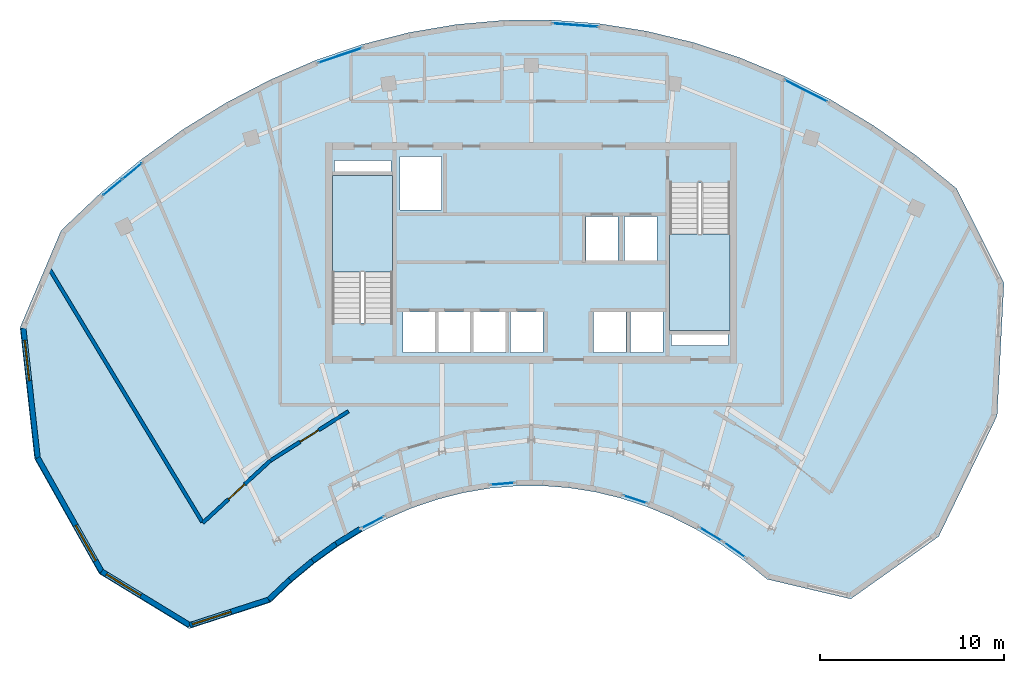
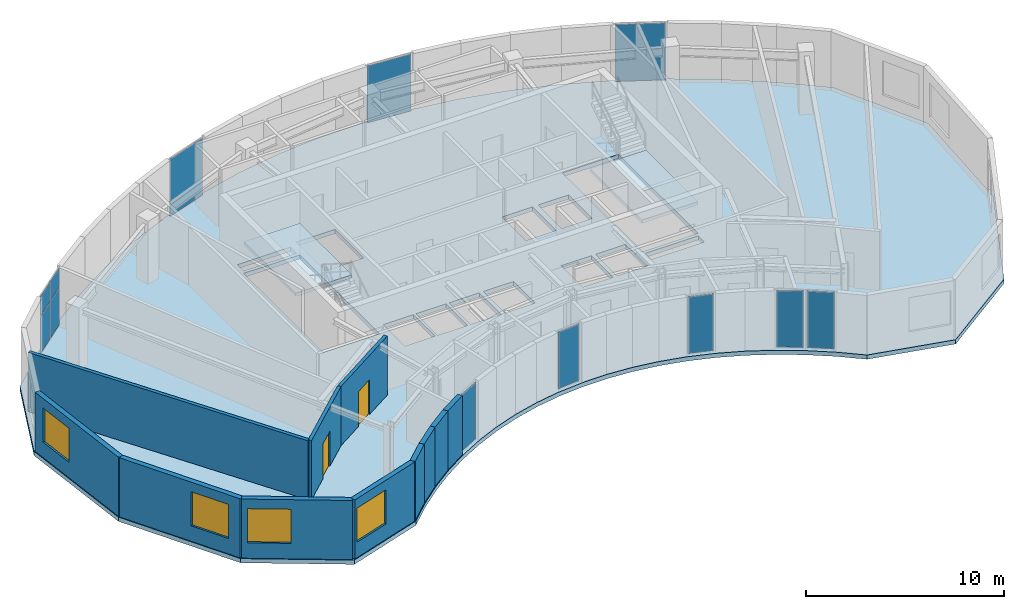
# One storey, part 4 of 9: 12 plates, 11 walls, 4 windows, 3 slabs, 2 doors, 6 openings, 11 elements without a shape of their own.
"""IFC4 building model written with IfcOpenShell, lengths in metres."""

from ifc_helpers import new_model, si_unit, direction, frame, frame_2d, origin, origin_2d, place, context, subcontext, project, spatial, polyline, rectangle, outline, extrude, source, transform, mapped, material, layer, layer_set, type_object, type_shapes, element, fill, aggregate, save


model = new_model("IFC4")

# Units and contexts
model_context = context("Model", 3, precision=1e-05, world=origin(), true_north=direction((0.0, 1.0)))
body_context = subcontext(model_context, "Body", "Model", "MODEL_VIEW")
ifc_project = project(units=[si_unit("LENGTHUNIT", "METRE"), si_unit("AREAUNIT", "SQUARE_METRE"), si_unit("VOLUMEUNIT", "CUBIC_METRE"), si_unit("PLANEANGLEUNIT", "RADIAN"), si_unit("MASSUNIT", "GRAM", prefix="KILO")], contexts=[model_context])

# Site, building, storey
site_placement = place(None, origin())
site = spatial("IfcSite", under=ifc_project, at=site_placement, CompositionType="ELEMENT")
building_placement = place(site_placement, origin())
building = spatial("IfcBuilding", under=site, at=building_placement, Name="Breltana Convention Tower", CompositionType="ELEMENT")
storey_placement = place(building_placement, frame((0.0, 0.0, 287.39990234375)))
storey = spatial("IfcBuildingStorey", under=building, at=storey_placement, Name="L70", CompositionType="ELEMENT", Elevation=287.39990234375)

# Stair, slab
ifc_material_1 = material(Name="Concrete C40/50", Category="concrete")
stair_type = type_object("IfcStairType", Name="ST-DOG-1560-R177", PredefinedType="HALF_TURN_STAIR", material=ifc_material_1)
stair_1_placement = place(storey_placement, origin())
stair_1 = element("IfcStair", 1, at=stair_1_placement, inside=storey, type_object=stair_type, Name="L70 Protected Core Exit Stair ST-1", PredefinedType="HALF_TURN_STAIR")
ifc_layer_1 = layer(ifc_material_1, 0.199951171875, Name="Concrete C40/50")
ifc_layer_set_1 = layer_set([ifc_layer_1], Name="Concrete C40/50")
slab_type_1 = type_object("IfcSlabType", Name="SL-STAIR-LANDING-200", PredefinedType="LANDING", material=ifc_layer_set_1)
slab_1_placement = place(storey_placement, frame((0.0, 0.0, 1.75)))
slab_1 = element("IfcSlab", 2, at=slab_1_placement, type_object=slab_type_1, Name="ST-1 landing 1", PredefinedType="LANDING", context=body_context, shape_type="SweptSolid", body=[
    extrude(outline(polyline([(40.469970703125, 65.159912109375), (40.469970703125, 70.39990234375), (37.199951171875, 70.39990234375), (37.199951171875, 65.159912109375), (40.469970703125, 65.159912109375)])), origin(), (0.0, 0.0, 1.0), 0.2001953125),
])
aggregate(stair_1, [slab_1])

stair_2_placement = place(storey_placement, origin())
stair_2 = element("IfcStair", 3, at=stair_2_placement, inside=storey, type_object=stair_type, Name="L70 Protected Core Exit Stair ST-2", PredefinedType="HALF_TURN_STAIR")
slab_2_placement = place(storey_placement, frame((0.0, 0.0, 1.75)))
slab_2 = element("IfcSlab", 4, at=slab_2_placement, type_object=slab_type_1, Name="ST-2 landing 1", PredefinedType="LANDING", context=body_context, shape_type="SweptSolid", body=[
    extrude(outline(polyline([(55.530029296875, 67.239990234375), (55.530029296875, 62.0), (58.800048828125, 62.0), (58.800048828125, 67.239990234375), (55.530029296875, 67.239990234375)])), origin(), (0.0, 0.0, 1.0), 0.2001953125),
])
aggregate(stair_2, [slab_2])

# Slab
ifc_layer_2 = layer(ifc_material_1, 0.260009765625, Name="Concrete C40/50")
ifc_layer_set_2 = layer_set([ifc_layer_2], Name="Concrete C40/50")
slab_type_2 = type_object("IfcSlabType", Name="SL-UPP-260", PredefinedType="FLOOR", material=ifc_layer_set_2)
slab_3_placement = place(storey_placement, frame((0.0, 0.0, -0.260009765625)))
element("IfcSlab", 5, at=slab_3_placement, inside=storey, type_object=slab_type_2, Name="L70 Suspended Structural Floor Slab", PredefinedType="FLOOR", context=body_context, shape_type="SweptSolid", body=[
    extrude(outline(polyline([(71.119873046875, 69.7060546875), (68.9033203125, 71.50830078125), (66.60888671875, 73.126220703125), (64.244873046875, 74.552978515625), (61.8203125, 75.783935546875), (59.34423828125, 76.814208984375), (56.825927734375, 77.639892578125), (54.2744140625, 78.25830078125), (51.69970703125, 78.66650390625), (49.111083984375, 78.863525390625), (46.5185546875, 78.848388671875), (43.931396484375, 78.62109375), (41.359375, 78.1826171875), (38.81201171875, 77.53466796875), (36.29931640625, 76.679443359375), (33.829833984375, 75.620361328125), (31.41357421875, 74.361083984375), (29.058837890625, 72.906494140625), (26.77490234375, 71.26220703125), (24.5703125, 69.433837890625), (22.452880859375, 67.4287109375), (20.216796875, 62.142578125), (21.007080078125, 55.0126953125), (24.52197265625, 48.762451171875), (29.418701171875, 45.779296875), (33.827392578125, 47.202392578125), (35.001953125, 48.31494140625), (36.22509765625, 49.3291015625), (37.491943359375, 50.241455078125), (38.79833984375, 51.04833984375), (40.138916015625, 51.746826171875), (41.5087890625, 52.33447265625), (42.90283203125, 52.80908203125), (44.31591796875, 53.16845703125), (45.742919921875, 53.41162109375), (47.177978515625, 53.537841796875), (48.616455078125, 53.546142578125), (50.052490234375, 53.43701171875), (51.48095703125, 53.21044921875), (52.896240234375, 52.867431640625), (54.29345703125, 52.4091796875), (55.6669921875, 51.837646484375), (57.01220703125, 51.15478515625), (58.323486328125, 50.36328125), (59.5966796875, 49.4658203125), (60.826171875, 48.4658203125), (65.370849609375, 47.394775390625), (70.1455078125, 50.789306640625), (73.326416015625, 57.352783203125), (73.698486328125, 64.57861328125), (71.119873046875, 69.7060546875)]), holes=[polyline([(37.199951171875, 62.385009765625), (40.469970703125, 62.385009765625), (40.469970703125, 70.39990234375), (37.199951171875, 70.39990234375), (37.199951171875, 62.385009765625)]), polyline([(55.530029296875, 62.0), (58.800048828125, 62.0), (58.800048828125, 70.014892578125), (55.530029296875, 70.014892578125), (55.530029296875, 62.0)]), polyline([(41.0400390625, 60.800048828125), (42.800048828125, 60.800048828125), (42.800048828125, 62.97998046875), (41.0400390625, 62.97998046875), (41.0400390625, 60.800048828125)]), polyline([(42.93994140625, 60.800048828125), (44.699951171875, 60.800048828125), (44.699951171875, 62.97998046875), (42.93994140625, 62.97998046875), (42.93994140625, 60.800048828125)]), polyline([(44.8701171875, 60.800048828125), (46.6298828125, 60.800048828125), (46.6298828125, 62.97998046875), (44.8701171875, 62.97998046875), (44.8701171875, 60.800048828125)]), polyline([(46.8701171875, 60.800048828125), (48.6298828125, 60.800048828125), (48.6298828125, 62.97998046875), (46.8701171875, 62.97998046875), (46.8701171875, 60.800048828125)]), polyline([(51.39990234375, 60.800048828125), (53.159912109375, 60.800048828125), (53.159912109375, 62.97998046875), (51.39990234375, 62.97998046875), (51.39990234375, 60.800048828125)]), polyline([(53.39990234375, 60.800048828125), (55.159912109375, 60.800048828125), (55.159912109375, 62.97998046875), (53.39990234375, 62.97998046875), (53.39990234375, 60.800048828125)]), polyline([(50.969970703125, 65.800048828125), (52.72998046875, 65.800048828125), (52.72998046875, 68.179931640625), (50.969970703125, 68.179931640625), (50.969970703125, 65.800048828125)]), polyline([(53.070068359375, 65.800048828125), (54.830078125, 65.800048828125), (54.830078125, 68.179931640625), (53.070068359375, 68.179931640625), (53.070068359375, 65.800048828125)]), polyline([(40.8798828125, 68.550048828125), (43.1201171875, 68.550048828125), (43.1201171875, 71.449951171875), (40.8798828125, 71.449951171875), (40.8798828125, 68.550048828125)]), polyline([(37.300048828125, 70.60009765625), (40.3798828125, 70.60009765625), (40.3798828125, 71.219970703125), (37.300048828125, 71.219970703125), (37.300048828125, 70.60009765625)]), polyline([(55.6201171875, 61.179931640625), (58.699951171875, 61.179931640625), (58.699951171875, 61.800048828125), (55.6201171875, 61.800048828125), (55.6201171875, 61.179931640625)])]), origin(), (0.0, 0.0, 1.0), 0.260009765625),
])

# Curtain wall, plate
ifc_material_2 = material(Name="Aluminium Anodised Bronze Frame", Category="aluminium")
ifc_layer_3 = layer(ifc_material_2, 0.18994140625, Name="Aluminium Anodised Bronze Frame")
ifc_layer_set_3 = layer_set([ifc_layer_3], Name="Aluminium Anodised Bronze Frame")
curtain_wall_type_1 = type_object("IfcCurtainWallType", Name="CW-SYS-1", PredefinedType="NOTDEFINED", material=ifc_layer_set_3)
curtain_wall_1_placement = place(storey_placement, origin())
curtain_wall_1 = element("IfcCurtainWall", 6, at=curtain_wall_1_placement, inside=storey, type_object=curtain_wall_type_1, Name="L70 inner south-court glazing 1", PredefinedType="NOTDEFINED")
ifc_material_3 = material(Name="Glass Low-E Double Glazing", Category="glass")
ifc_layer_4 = layer(ifc_material_3, 0.028076171875, Name="Glass Low-E Double Glazing")
ifc_layer_set_4 = layer_set([ifc_layer_4], Name="Glass Low-E Double Glazing")
plate_type_1 = type_object("IfcPlateType", Name="CWP-IGU-28", PredefinedType="CURTAIN_PANEL", material=ifc_layer_set_4)
shared_shape_1 = source(origin(), body_context, "Body", "SweptSolid", [
    extrude(rectangle(XDim=1.3974609375, YDim=0.028076171875, at=origin_2d()), origin(), (0.0, 0.0, 1.0), 3.47998046875),
])
plate_1_placement = place(storey_placement, frame((59.063720703125, 50.0615234375, 0.080078125), z_axis=(0.0, 0.0, 1.0), x_axis=(-0.817327132857, 0.576173895534, 0.0)))
plate_1 = element("IfcPlate", 7, at=plate_1_placement, type_object=plate_type_1, Name="CW-01 panel 1.1", PredefinedType="CURTAIN_PANEL", context=body_context, shape_type="MappedRepresentation", body=[
    mapped(shared_shape_1, transform((0.0, 0.0, 0.0), scale=1.0)),
])
aggregate(curtain_wall_1, [plate_1])

curtain_wall_2_placement = place(storey_placement, origin())
curtain_wall_2 = element("IfcCurtainWall", 8, at=curtain_wall_2_placement, inside=storey, type_object=curtain_wall_type_1, Name="L70 inner south-court glazing 2", PredefinedType="NOTDEFINED")
shared_shape_2 = source(origin(), body_context, "Body", "SweptSolid", [
    extrude(rectangle(XDim=1.371826171875, YDim=0.028076171875, at=origin_2d()), origin(), (0.0, 0.0, 1.0), 3.47998046875),
])
plate_2_placement = place(storey_placement, frame((57.760986328125, 50.9130859375, 0.080078125), z_axis=(0.0, 0.0, 1.0), x_axis=(-0.856090059164, 0.516826673654, 0.0)))
plate_2 = element("IfcPlate", 9, at=plate_2_placement, type_object=plate_type_1, Name="CW-01 panel 1.1", PredefinedType="CURTAIN_PANEL", context=body_context, shape_type="MappedRepresentation", body=[
    mapped(shared_shape_2, transform((0.0, 0.0, 0.0), scale=1.0)),
])
aggregate(curtain_wall_2, [plate_2])

# Curtain wall, plates
ifc_layer_5 = layer(ifc_material_2, 0.22998046875, Name="Aluminium Anodised Bronze Frame")
ifc_layer_set_5 = layer_set([ifc_layer_5], Name="Aluminium Anodised Bronze Frame")
curtain_wall_type_2 = type_object("IfcCurtainWallType", Name="CW-SYS-5", PredefinedType="NOTDEFINED", material=ifc_layer_set_5)
curtain_wall_3_placement = place(storey_placement, origin())
curtain_wall_3 = element("IfcCurtainWall", 10, at=curtain_wall_3_placement, inside=storey, type_object=curtain_wall_type_2, Name="L70 outer double-skin inner glazing 1", PredefinedType="NOTDEFINED")
ifc_layer_6 = layer(ifc_material_3, 0.035888671875, Name="Glass Low-E Double Glazing")
ifc_layer_set_6 = layer_set([ifc_layer_6], Name="Glass Low-E Double Glazing")
plate_type_2 = type_object("IfcPlateType", Name="CWP-IGU-36", PredefinedType="CURTAIN_PANEL", material=ifc_layer_set_6)
shared_shape_3 = source(origin(), body_context, "Body", "SweptSolid", [
    extrude(rectangle(XDim=1.321044921875, YDim=0.035888671875, at=origin_2d()), origin(), (0.0, 0.0, 1.0), 2.260986328125),
])
plate_3_placement = place(storey_placement, frame((25.252197265625, 69.765380859375, 0.0703125), z_axis=(0.0, 0.0, 1.0), x_axis=(0.76977098678, 0.638320160979, 0.0)))
plate_3 = element("IfcPlate", 11, at=plate_3_placement, type_object=plate_type_2, Name="CW-05 panel 1.1", PredefinedType="CURTAIN_PANEL", context=body_context, shape_type="MappedRepresentation", body=[
    mapped(shared_shape_3, transform((0.0, 0.0, 0.0), scale=1.0)),
])
plate_4_placement = place(storey_placement, frame((26.322998046875, 70.6533203125, 0.0703125), z_axis=(0.0, 0.0, 1.0), x_axis=(0.76977098678, 0.638320160979, 0.0)))
plate_4 = element("IfcPlate", 12, at=plate_4_placement, type_object=plate_type_2, Name="CW-05 panel 2.1", PredefinedType="CURTAIN_PANEL", context=body_context, shape_type="MappedRepresentation", body=[
    mapped(shared_shape_3, transform((0.0, 0.0, 0.0), scale=1.0)),
])
shared_shape_4 = source(origin(), body_context, "Body", "SweptSolid", [
    extrude(rectangle(XDim=1.321044921875, YDim=0.035888671875, at=origin_2d()), origin(), (0.0, 0.0, 1.0), 1.1689453125),
])
plate_5_placement = place(storey_placement, frame((25.252197265625, 69.765380859375, 2.401123046875), z_axis=(0.0, 0.0, 1.0), x_axis=(0.76977098678, 0.638320160979, 0.0)))
plate_5 = element("IfcPlate", 13, at=plate_5_placement, type_object=plate_type_2, Name="CW-05 panel 1.2", PredefinedType="CURTAIN_PANEL", context=body_context, shape_type="MappedRepresentation", body=[
    mapped(shared_shape_4, transform((0.0, 0.0, 0.0), scale=1.0)),
])
plate_6_placement = place(storey_placement, frame((26.322998046875, 70.6533203125, 2.401123046875), z_axis=(0.0, 0.0, 1.0), x_axis=(0.76977098678, 0.638320160979, 0.0)))
plate_6 = element("IfcPlate", 14, at=plate_6_placement, type_object=plate_type_2, Name="CW-05 panel 2.2", PredefinedType="CURTAIN_PANEL", context=body_context, shape_type="MappedRepresentation", body=[
    mapped(shared_shape_4, transform((0.0, 0.0, 0.0), scale=1.0)),
])
aggregate(curtain_wall_3, [plate_3, plate_5, plate_4, plate_6])

# Curtain wall, plate
curtain_wall_4_placement = place(storey_placement, origin())
curtain_wall_4 = element("IfcCurtainWall", 15, at=curtain_wall_4_placement, inside=storey, type_object=curtain_wall_type_1, Name="L70 inner south-court glazing 3", PredefinedType="NOTDEFINED")
shared_shape_5 = source(origin(), body_context, "Body", "SweptSolid", [
    extrude(rectangle(XDim=1.310302734375, YDim=0.028076171875, at=origin_2d()), origin(), (0.0, 0.0, 1.0), 3.47998046875),
])
plate_7_placement = place(storey_placement, frame((53.65087890625, 52.809326171875, 0.080078125), z_axis=(0.0, 0.0, 1.0), x_axis=(-0.95022921091, 0.311551675865, 0.0)))
plate_7 = element("IfcPlate", 16, at=plate_7_placement, type_object=plate_type_1, Name="CW-01 panel 1.1", PredefinedType="CURTAIN_PANEL", context=body_context, shape_type="MappedRepresentation", body=[
    mapped(shared_shape_5, transform((0.0, 0.0, 0.0), scale=1.0)),
])
aggregate(curtain_wall_4, [plate_7])

curtain_wall_5_placement = place(storey_placement, origin())
curtain_wall_5 = element("IfcCurtainWall", 17, at=curtain_wall_5_placement, inside=storey, type_object=curtain_wall_type_1, Name="L70 inner south-court glazing 4", PredefinedType="NOTDEFINED")
shared_shape_6 = source(origin(), body_context, "Body", "SweptSolid", [
    extrude(rectangle(XDim=1.28076171875, YDim=0.028076171875, at=origin_2d()), origin(), (0.0, 0.0, 1.0), 3.47998046875),
])
plate_8_placement = place(storey_placement, frame((46.444580078125, 53.654052734375, 0.080078125), z_axis=(0.0, 0.0, 1.0), x_axis=(-0.996162843491, -0.087519079336, 0.0)))
plate_8 = element("IfcPlate", 18, at=plate_8_placement, type_object=plate_type_1, Name="CW-01 panel 1.1", PredefinedType="CURTAIN_PANEL", context=body_context, shape_type="MappedRepresentation", body=[
    mapped(shared_shape_6, transform((0.0, 0.0, 0.0), scale=1.0)),
])
aggregate(curtain_wall_5, [plate_8])

curtain_wall_6_placement = place(storey_placement, origin())
curtain_wall_6 = element("IfcCurtainWall", 19, at=curtain_wall_6_placement, inside=storey, type_object=curtain_wall_type_1, Name="L70 inner south-court glazing 5", PredefinedType="NOTDEFINED")
shared_shape_7 = source(origin(), body_context, "Body", "SweptSolid", [
    extrude(rectangle(XDim=1.3515625, YDim=0.028076171875, at=origin_2d()), origin(), (0.0, 0.0, 1.0), 3.47998046875),
])
plate_9_placement = place(storey_placement, frame((39.38525390625, 51.55712890625, 0.080078125), z_axis=(0.0, 0.0, 1.0), x_axis=(-0.886826544842, -0.462102455484, 0.0)))
plate_9 = element("IfcPlate", 20, at=plate_9_placement, type_object=plate_type_1, Name="CW-01 panel 1.1", PredefinedType="CURTAIN_PANEL", context=body_context, shape_type="MappedRepresentation", body=[
    mapped(shared_shape_7, transform((0.0, 0.0, 0.0), scale=1.0)),
])
aggregate(curtain_wall_6, [plate_9])

curtain_wall_7_placement = place(storey_placement, origin())
curtain_wall_7 = element("IfcCurtainWall", 21, at=curtain_wall_7_placement, inside=storey, type_object=curtain_wall_type_2, Name="L70 outer double-skin inner glazing 2", PredefinedType="NOTDEFINED")
shared_shape_8 = source(origin(), body_context, "Body", "SweptSolid", [
    extrude(rectangle(XDim=2.50048828125, YDim=0.035888671875, at=origin_2d()), origin(), (0.0, 0.0, 1.0), 3.5),
])
plate_10_placement = place(storey_placement, frame((37.613525390625, 76.9365234375, 0.070068359375), z_axis=(0.0, 0.0, 1.0), x_axis=(0.946676206654, 0.322186529445, 0.0)))
plate_10 = element("IfcPlate", 22, at=plate_10_placement, type_object=plate_type_2, Name="CW-05 panel 1.1", PredefinedType="CURTAIN_PANEL", context=body_context, shape_type="MappedRepresentation", body=[
    mapped(shared_shape_8, transform((0.0, 0.0, 0.0), scale=1.0)),
])
aggregate(curtain_wall_7, [plate_10])

curtain_wall_8_placement = place(storey_placement, origin())
curtain_wall_8 = element("IfcCurtainWall", 23, at=curtain_wall_8_placement, inside=storey, type_object=curtain_wall_type_2, Name="L70 outer double-skin inner glazing 3", PredefinedType="NOTDEFINED")
shared_shape_9 = source(origin(), body_context, "Body", "SweptSolid", [
    extrude(rectangle(XDim=2.44140625, YDim=0.035888671875, at=origin_2d()), origin(), (0.0, 0.0, 1.0), 3.5),
])
plate_11_placement = place(storey_placement, frame((50.391845703125, 78.58544921875, 0.070068359375), z_axis=(0.0, 0.0, 1.0), x_axis=(0.99711614311, -0.075890692114, 0.0)))
plate_11 = element("IfcPlate", 24, at=plate_11_placement, type_object=plate_type_2, Name="CW-05 panel 1.1", PredefinedType="CURTAIN_PANEL", context=body_context, shape_type="MappedRepresentation", body=[
    mapped(shared_shape_9, transform((0.0, 0.0, 0.0), scale=1.0)),
])
aggregate(curtain_wall_8, [plate_11])

curtain_wall_9_placement = place(storey_placement, origin())
curtain_wall_9 = element("IfcCurtainWall", 25, at=curtain_wall_9_placement, inside=storey, type_object=curtain_wall_type_2, Name="L70 outer double-skin inner glazing 4", PredefinedType="NOTDEFINED")
shared_shape_10 = source(origin(), body_context, "Body", "SweptSolid", [
    extrude(rectangle(XDim=2.565673828125, YDim=0.035888671875, at=origin_2d()), origin(), (0.0, 0.0, 1.0), 3.5),
])
plate_12_placement = place(storey_placement, frame((62.951171875, 75.0078125, 0.070068359375), z_axis=(0.0, 0.0, 1.0), x_axis=(0.891667916879, -0.452690099305, 0.0)))
plate_12 = element("IfcPlate", 26, at=plate_12_placement, type_object=plate_type_2, Name="CW-05 panel 1.1", PredefinedType="CURTAIN_PANEL", context=body_context, shape_type="MappedRepresentation", body=[
    mapped(shared_shape_10, transform((0.0, 0.0, 0.0), scale=1.0)),
])
aggregate(curtain_wall_9, [plate_12])

# Walls
ifc_material_4 = material(Name="Limestone Buff Insulated Wall", Category="masonry")
ifc_layer_7 = layer(ifc_material_4, 0.280029296875, Name="Limestone Buff Insulated Wall")
ifc_layer_set_7 = layer_set([ifc_layer_7], Name="Limestone Buff Insulated Wall")
wall_type_1 = type_object("IfcWallType", Name="WL-EXT-NOSE-280", PredefinedType="SOLIDWALL", material=ifc_layer_set_7)
shared_shape_11 = source(origin(), body_context, "Body", "SweptSolid", [
    extrude(rectangle(XDim=1.56103515625, YDim=0.280029296875, at=frame_2d((0.780517578125, 0.0))), origin(), (0.0, 0.0, 1.0), 3.64013671875),
])
wall_1_placement = place(storey_placement, frame((37.38671875, 50.387451171875, 0.0), z_axis=(0.0, 0.0, 1.0), x_axis=(-0.81154027425, -0.584296485758, 0.0)))
element("IfcWall", 27, at=wall_1_placement, inside=storey, type_object=wall_type_1, Name="L70 curved limestone nose wall E18", PredefinedType="SOLIDWALL", context=body_context, shape_type="MappedRepresentation", body=[
    mapped(shared_shape_11, transform((0.0, 0.0, 0.0), scale=1.0)),
])
shared_shape_12 = source(origin(), body_context, "Body", "SweptSolid", [
    extrude(rectangle(XDim=1.5888671875, YDim=0.280029296875, at=frame_2d((0.79443359375, 0.0))), origin(), (0.0, 0.0, 1.0), 3.64013671875),
])
wall_2_placement = place(storey_placement, frame((36.110107421875, 49.4677734375, 0.0), z_axis=(0.0, 0.0, 1.0), x_axis=(-0.769805836273, -0.63827813251, 0.0)))
element("IfcWall", 28, at=wall_2_placement, inside=storey, type_object=wall_type_1, Name="L70 curved limestone nose wall E19", PredefinedType="SOLIDWALL", context=body_context, shape_type="MappedRepresentation", body=[
    mapped(shared_shape_12, transform((0.0, 0.0, 0.0), scale=1.0)),
])
shared_shape_13 = source(origin(), body_context, "Body", "SweptSolid", [
    extrude(rectangle(XDim=1.576904296875, YDim=0.280029296875, at=frame_2d((0.78857421875, 0.0))), origin(), (0.0, 0.0, 1.0), 3.64013671875),
])
wall_3_placement = place(storey_placement, frame((34.878173828125, 48.445556640625, 0.0), z_axis=(0.0, 0.0, 1.0), x_axis=(-0.726119464467, -0.687568558998, 0.0)))
element("IfcWall", 29, at=wall_3_placement, inside=storey, type_object=wall_type_1, Name="L70 curved limestone nose wall W1", PredefinedType="SOLIDWALL", context=body_context, shape_type="MappedRepresentation", body=[
    mapped(shared_shape_13, transform((0.0, 0.0, 0.0), scale=1.0)),
])

# Wall, opening, window
shared_shape_14 = source(origin(), body_context, "Body", "SweptSolid", [
    extrude(rectangle(XDim=4.50927734375, YDim=0.280029296875, at=frame_2d((2.254638671875, 0.0))), origin(), (0.0, 0.0, 1.0), 3.64013671875),
])
wall_4_placement = place(storey_placement, frame((33.733154296875, 47.361328125, 0.0), z_axis=(0.0, 0.0, 1.0), x_axis=(-0.95162949292, -0.307247958828, 0.0)))
wall_4 = element("IfcWall", 30, at=wall_4_placement, inside=storey, type_object=wall_type_1, Name="L70 curved limestone nose wall W2", PredefinedType="SOLIDWALL", context=body_context, shape_type="MappedRepresentation", body=[
    mapped(shared_shape_14, transform((0.0, 0.0, 0.0), scale=1.0)),
])
opening_1_placement = place(wall_4_placement, frame((2.1494140625, 0.0, 0.949951171875)))
opening_1 = element("IfcOpeningElement", 31, at=opening_1_placement, cuts=wall_4, Name="Opening W-03", PredefinedType="OPENING", context=body_context, shape_type="SweptSolid", body=[
    extrude(rectangle(XDim=2.199951171875, YDim=2.10009765625, at=frame_2d((1.10009765625, 1.050048828125))), frame((0.0, 0.14990234375, 0.0), z_axis=(0.0, -1.0, 0.0), x_axis=(1.0, 0.0, 0.0)), (0.0, 0.0, 1.0), 0.300048828125),
])
ifc_material_5 = material(Name="Glass Low-E Insulated Window", Category="glass")
window_type = type_object("IfcWindowType", Name="WN-NOSE-2200X2100", PartitioningType="TRIPLE_PANEL_VERTICAL", PredefinedType="WINDOW", material=ifc_material_5)
shared_shape_15 = source(origin(), body_context, "Body", "SweptSolid", [
    extrude(rectangle(XDim=2.199951171875, YDim=2.10009765625, at=frame_2d((1.10009765625, 1.050048828125))), frame((0.0, 0.030029296875, 0.0), z_axis=(0.0, -1.0, 0.0), x_axis=(1.0, 0.0, 0.0)), (0.0, 0.0, 1.0), 0.06005859375),
])
type_shapes(window_type, [shared_shape_15])
window_1_placement = place(opening_1_placement, origin())
window_1 = element("IfcWindow", 32, at=window_1_placement, inside=storey, type_object=window_type, Name="L70 nose window W2", OverallHeight=2.10009765625, OverallWidth=2.199951171875, PartitioningType="TRIPLE_PANEL_VERTICAL", PredefinedType="WINDOW", context=body_context, shape_type="MappedRepresentation", body=[
    mapped(shared_shape_15, transform((0.0, 0.0, 0.0), scale=1.0)),
])
fill(opening_1, window_1)

shared_shape_16 = source(origin(), body_context, "Body", "SweptSolid", [
    extrude(rectangle(XDim=5.604248046875, YDim=0.280029296875, at=frame_2d((2.80224609375, 0.0))), origin(), (0.0, 0.0, 1.0), 3.64013671875),
])
wall_5_placement = place(storey_placement, frame((29.44189453125, 45.975830078125, 0.0), z_axis=(0.0, 0.0, 1.0), x_axis=(-0.854002492971, 0.520268913158, 0.0)))
wall_5 = element("IfcWall", 33, at=wall_5_placement, inside=storey, type_object=wall_type_1, Name="L70 curved limestone nose wall W3", PredefinedType="SOLIDWALL", context=body_context, shape_type="MappedRepresentation", body=[
    mapped(shared_shape_16, transform((0.0, 0.0, 0.0), scale=1.0)),
])
opening_2_placement = place(wall_5_placement, frame((3.103271484375, 0.0, 0.949951171875)))
opening_2 = element("IfcOpeningElement", 34, at=opening_2_placement, cuts=wall_5, Name="Opening W-03", PredefinedType="OPENING", context=body_context, shape_type="SweptSolid", body=[
    extrude(rectangle(XDim=2.199951171875, YDim=2.10009765625, at=frame_2d((1.10009765625, 1.050048828125))), frame((0.0, 0.14990234375, 0.0), z_axis=(0.0, -1.0, 0.0), x_axis=(1.0, 0.0, 0.0)), (0.0, 0.0, 1.0), 0.300048828125),
])
window_2_placement = place(opening_2_placement, origin())
window_2 = element("IfcWindow", 35, at=window_2_placement, inside=storey, type_object=window_type, Name="L70 nose window W3", OverallHeight=2.10009765625, OverallWidth=2.199951171875, PartitioningType="TRIPLE_PANEL_VERTICAL", PredefinedType="WINDOW", context=body_context, shape_type="MappedRepresentation", body=[
    mapped(shared_shape_15, transform((0.0, 0.0, 0.0), scale=1.0)),
])
fill(opening_2, window_2)

shared_shape_17 = source(origin(), body_context, "Body", "SweptSolid", [
    extrude(rectangle(XDim=7.087158203125, YDim=0.280029296875, at=frame_2d((3.54345703125, 0.0))), origin(), (0.0, 0.0, 1.0), 3.64013671875),
])
wall_6_placement = place(storey_placement, frame((24.65576171875, 48.8916015625, 0.0), z_axis=(0.0, 0.0, 1.0), x_axis=(-0.490158199368, 0.871633489256, 0.0)))
wall_6 = element("IfcWall", 36, at=wall_6_placement, inside=storey, type_object=wall_type_1, Name="L70 curved limestone nose wall W4", PredefinedType="SOLIDWALL", context=body_context, shape_type="MappedRepresentation", body=[
    mapped(shared_shape_17, transform((0.0, 0.0, 0.0), scale=1.0)),
])
opening_3_placement = place(wall_6_placement, frame((0.671875, 0.0, 0.949951171875)))
opening_3 = element("IfcOpeningElement", 37, at=opening_3_placement, cuts=wall_6, Name="Opening W-03", PredefinedType="OPENING", context=body_context, shape_type="SweptSolid", body=[
    extrude(rectangle(XDim=2.199951171875, YDim=2.10009765625, at=frame_2d((1.10009765625, 1.050048828125))), frame((0.0, 0.14990234375, 0.0), z_axis=(0.0, -1.0, 0.0), x_axis=(1.0, 0.0, 0.0)), (0.0, 0.0, 1.0), 0.300048828125),
])
window_3_placement = place(opening_3_placement, origin())
window_3 = element("IfcWindow", 38, at=window_3_placement, inside=storey, type_object=window_type, Name="L70 nose window W4", OverallHeight=2.10009765625, OverallWidth=2.199951171875, PartitioningType="TRIPLE_PANEL_VERTICAL", PredefinedType="WINDOW", context=body_context, shape_type="MappedRepresentation", body=[
    mapped(shared_shape_15, transform((0.0, 0.0, 0.0), scale=1.0)),
])
fill(opening_3, window_3)

shared_shape_18 = source(origin(), body_context, "Body", "SweptSolid", [
    extrude(rectangle(XDim=7.08984375, YDim=0.280029296875, at=frame_2d((3.544921875, 0.0))), origin(), (0.0, 0.0, 1.0), 3.64013671875),
])
wall_7_placement = place(storey_placement, frame((21.181884765625, 55.069091796875, 0.0), z_axis=(0.0, 0.0, 1.0), x_axis=(-0.110159396922, 0.993913933532, 0.0)))
wall_7 = element("IfcWall", 39, at=wall_7_placement, inside=storey, type_object=wall_type_1, Name="L70 curved limestone nose wall W5", PredefinedType="SOLIDWALL", context=body_context, shape_type="MappedRepresentation", body=[
    mapped(shared_shape_18, transform((0.0, 0.0, 0.0), scale=1.0)),
])
opening_4_placement = place(wall_7_placement, frame((4.21728515625, 0.0, 0.949951171875)))
opening_4 = element("IfcOpeningElement", 40, at=opening_4_placement, cuts=wall_7, Name="Opening W-03", PredefinedType="OPENING", context=body_context, shape_type="SweptSolid", body=[
    extrude(rectangle(XDim=2.199951171875, YDim=2.10009765625, at=frame_2d((1.10009765625, 1.050048828125))), frame((0.0, 0.14990234375, 0.0), z_axis=(0.0, -1.0, 0.0), x_axis=(1.0, 0.0, 0.0)), (0.0, 0.0, 1.0), 0.300048828125),
])
window_4_placement = place(opening_4_placement, origin())
window_4 = element("IfcWindow", 41, at=window_4_placement, inside=storey, type_object=window_type, Name="L70 nose window W5", OverallHeight=2.10009765625, OverallWidth=2.199951171875, PartitioningType="TRIPLE_PANEL_VERTICAL", PredefinedType="WINDOW", context=body_context, shape_type="MappedRepresentation", body=[
    mapped(shared_shape_15, transform((0.0, 0.0, 0.0), scale=1.0)),
])
fill(opening_4, window_4)

# Wall
shared_shape_19 = source(origin(), body_context, "Body", "SweptSolid", [
    extrude(rectangle(XDim=1.535400390625, YDim=0.280029296875, at=frame_2d((0.767578125, 0.0))), origin(), (0.0, 0.0, 1.0), 3.64013671875),
])
wall_8_placement = place(storey_placement, frame((38.70361328125, 51.201416015625, 0.0), z_axis=(0.0, 0.0, 1.0), x_axis=(-0.850756173541, -0.525560589449, 0.0)))
element("IfcWall", 42, at=wall_8_placement, inside=storey, type_object=wall_type_1, Name="L70 curved limestone nose wall E17", PredefinedType="SOLIDWALL", context=body_context, shape_type="MappedRepresentation", body=[
    mapped(shared_shape_19, transform((0.0, 0.0, 0.0), scale=1.0)),
])

# Wall, opening, door
ifc_material_6 = material(Name="Gypsum Acoustic Hotel Wall")
ifc_layer_8 = layer(ifc_material_6, 0.195068359375, Name="Gypsum Acoustic Hotel Wall")
ifc_layer_set_8 = layer_set([ifc_layer_8], Name="Gypsum Acoustic Hotel Wall")
wall_type_2 = type_object("IfcWallType", Name="WL-HOTEL-200", PredefinedType="PARTITIONING", material=ifc_layer_set_8)
shared_shape_20 = source(origin(), body_context, "Body", "SweptSolid", [
    extrude(rectangle(XDim=4.98583984375, YDim=0.195068359375, at=frame_2d((2.492919921875, 0.0))), origin(), (0.0, 0.0, 1.0), 3.64013671875),
])
wall_9_placement = place(storey_placement, frame((30.152587890625, 51.533447265625, 0.0), z_axis=(0.0, 0.0, 1.0), x_axis=(0.735595190169, 0.677421372707, 0.0)))
wall_9 = element("IfcWall", 43, at=wall_9_placement, inside=storey, type_object=wall_type_2, Name="L70 interior partition W-L70-EXWR1-COR", PredefinedType="PARTITIONING", context=body_context, shape_type="MappedRepresentation", body=[
    mapped(shared_shape_20, transform((0.0, 0.0, 0.0), scale=1.0)),
])
opening_5_placement = place(wall_9_placement, frame((1.892822265625, 0.0, 0.0)))
opening_5 = element("IfcOpeningElement", 44, at=opening_5_placement, cuts=wall_9, Name="Opening D-10", PredefinedType="OPENING", context=body_context, shape_type="SweptSolid", body=[
    extrude(rectangle(XDim=1.199951171875, YDim=2.14990234375, at=frame_2d((0.60009765625, 1.074951171875))), frame((0.0, 0.107421875, 0.0), z_axis=(0.0, -1.0, 0.0), x_axis=(1.0, 0.0, 0.0)), (0.0, 0.0, 1.0), 0.215087890625),
])
ifc_material_7 = material(Name="Timber Oak Veneer Fire Door", Category="wood")
door_type = type_object("IfcDoorType", Name="DR-INT-1200", OperationType="NOTDEFINED", PredefinedType="DOOR", material=ifc_material_7)
shared_shape_21 = source(origin(), body_context, "Body", "SweptSolid", [
    extrude(rectangle(XDim=1.199951171875, YDim=2.14990234375, at=frame_2d((0.60009765625, 1.074951171875))), frame((0.0, 0.02490234375, 0.0), z_axis=(0.0, -1.0, 0.0), x_axis=(1.0, 0.0, 0.0)), (0.0, 0.0, 1.0), 0.050048828125),
])
type_shapes(door_type, [shared_shape_21])
door_1_placement = place(opening_5_placement, origin())
door_1 = element("IfcDoor", 45, at=door_1_placement, inside=storey, type_object=door_type, Name="L70 interior door D-L70-EXWR1", OperationType="SINGLE_SWING_RIGHT", OverallHeight=2.14990234375, OverallWidth=1.199951171875, PredefinedType="DOOR", context=body_context, shape_type="MappedRepresentation", body=[
    mapped(shared_shape_21, transform((0.0, 0.0, 0.0), scale=1.0)),
])
fill(opening_5, door_1)

# Wall
shared_shape_22 = source(origin(), body_context, "Body", "SweptSolid", [
    extrude(rectangle(XDim=16.120849609375, YDim=0.195068359375, at=frame_2d((8.060546875, 0.0))), origin(), (0.0, 0.0, 1.0), 3.64013671875),
])
wall_10_placement = place(storey_placement, frame((30.127197265625, 51.5751953125, 0.0), z_axis=(0.0, 0.0, 1.0), x_axis=(-0.517212483904, 0.855857024563, 0.0)))
element("IfcWall", 46, at=wall_10_placement, inside=storey, type_object=wall_type_2, Name="L70 interior partition W-L70-EXWR1-RA", PredefinedType="PARTITIONING", context=body_context, shape_type="MappedRepresentation", body=[
    mapped(shared_shape_22, transform((0.0, 0.0, 0.0), scale=1.0)),
])

# Wall, opening, door
shared_shape_23 = source(origin(), body_context, "Body", "SweptSolid", [
    extrude(rectangle(XDim=5.025390625, YDim=0.195068359375, at=frame_2d((2.5126953125, 0.0))), origin(), (0.0, 0.0, 1.0), 3.64013671875),
])
wall_11_placement = place(storey_placement, frame((33.820068359375, 54.910888671875, 0.0), z_axis=(0.0, 0.0, 1.0), x_axis=(0.84532378062, 0.534254345717, 0.0)))
wall_11 = element("IfcWall", 47, at=wall_11_placement, inside=storey, type_object=wall_type_2, Name="L70 interior partition W-L70-EXWR2-COR", PredefinedType="PARTITIONING", context=body_context, shape_type="MappedRepresentation", body=[
    mapped(shared_shape_23, transform((0.0, 0.0, 0.0), scale=1.0)),
])
opening_6_placement = place(wall_11_placement, frame((1.91259765625, 0.0, 0.0)))
opening_6 = element("IfcOpeningElement", 48, at=opening_6_placement, cuts=wall_11, Name="Opening D-10", PredefinedType="OPENING", context=body_context, shape_type="SweptSolid", body=[
    extrude(rectangle(XDim=1.199951171875, YDim=2.14990234375, at=frame_2d((0.60009765625, 1.074951171875))), frame((0.0, 0.107421875, 0.0), z_axis=(0.0, -1.0, 0.0), x_axis=(1.0, 0.0, 0.0)), (0.0, 0.0, 1.0), 0.215087890625),
])
door_2_placement = place(opening_6_placement, origin())
door_2 = element("IfcDoor", 49, at=door_2_placement, inside=storey, type_object=door_type, Name="L70 interior door D-L70-EXWR2", OperationType="SINGLE_SWING_LEFT", OverallHeight=2.14990234375, OverallWidth=1.199951171875, PredefinedType="DOOR", context=body_context, shape_type="MappedRepresentation", body=[
    mapped(shared_shape_21, transform((0.0, 0.0, 0.0), scale=1.0)),
])
fill(opening_6, door_2)

save(model, "model.ifc")
